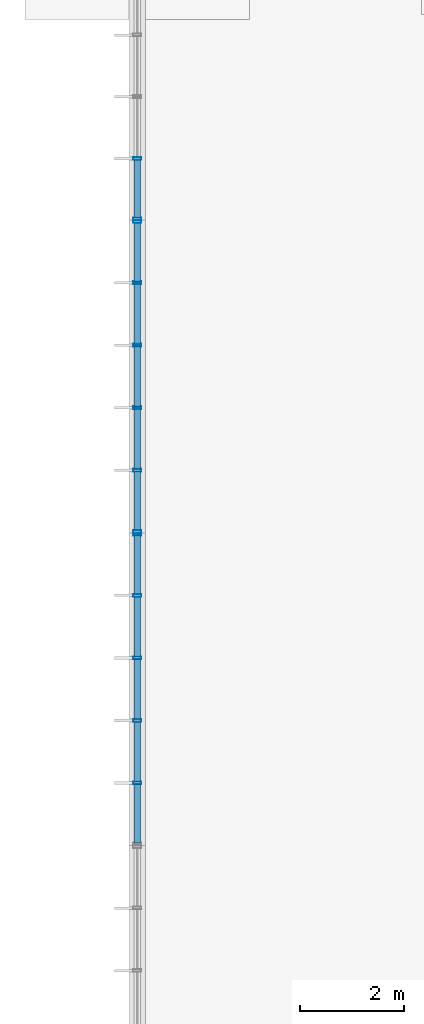
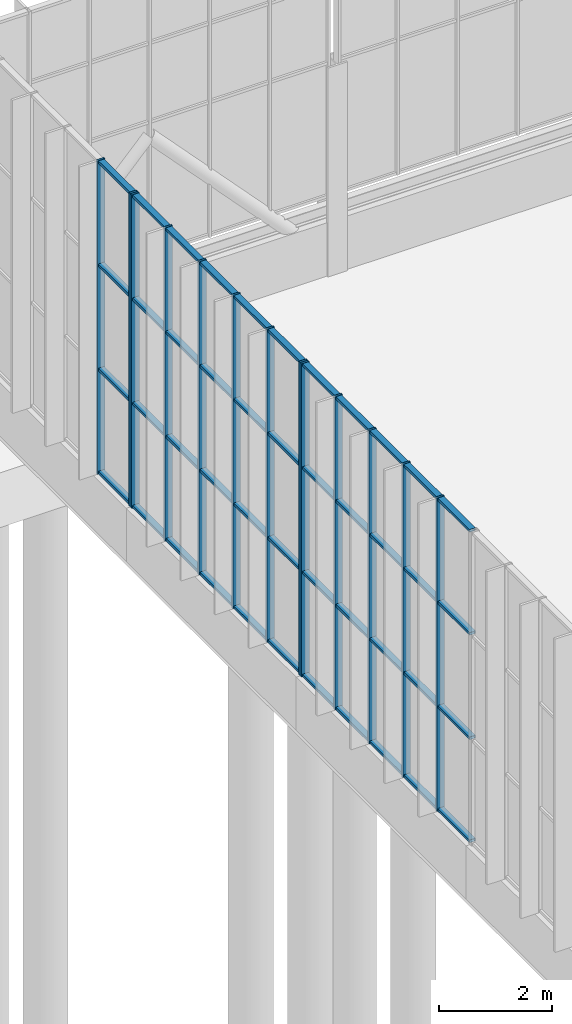
# One storey, part 52 of 136: 57 members, 3 elements without a shape of their own.
"""IFC4 building model written with IfcOpenShell, lengths in metres."""

from ifc_helpers import new_model, si_unit, direction, frame, origin, origin_2d, place, context, subcontext, project, spatial, hollow_rectangle, extrude, material, layer, layer_set, material_profile, profile_set, type_object, element, aggregate, save


model = new_model("IFC4")

# Units and contexts
model_context = context("Model", 3, precision=1e-05, world=origin(), true_north=direction((0.0, 1.0)))
body_context = subcontext(model_context, "Body", "Model", "MODEL_VIEW")
ifc_project = project(units=[si_unit("LENGTHUNIT", "METRE"), si_unit("AREAUNIT", "SQUARE_METRE"), si_unit("VOLUMEUNIT", "CUBIC_METRE"), si_unit("PLANEANGLEUNIT", "RADIAN"), si_unit("MASSUNIT", "GRAM", prefix="KILO")], contexts=[model_context])

# Site, building, storey
site_placement = place(None, origin())
site = spatial("IfcSite", under=ifc_project, at=site_placement, CompositionType="ELEMENT")
building_placement = place(site_placement, origin())
building = spatial("IfcBuilding", under=site, at=building_placement, Name="Solvenia Promenade Tram Depot", CompositionType="ELEMENT")
storey_placement = place(building_placement, origin())
storey = spatial("IfcBuildingStorey", under=building, at=storey_placement, Name="L00", CompositionType="ELEMENT", Elevation=0.0)

# Curtain wall, members
ifc_material = material(Name="Anodized aluminium AW-6063 T6", Category="aluminium")
ifc_layer = layer(ifc_material, 0.159912109375, Name="Anodized aluminium AW-6063 T6", Category="aluminium")
ifc_layer_set = layer_set([ifc_layer], Name="Anodized aluminium AW-6063 T6")
curtain_wall_type = type_object("IfcCurtainWallType", Name="CW-Channel-1200", PredefinedType="NOTDEFINED", material=ifc_layer_set)
curtain_wall_1_placement = place(storey_placement, origin())
curtain_wall_1 = element("IfcCurtainWall", 1, at=curtain_wall_1_placement, inside=storey, type_object=curtain_wall_type, Name="Curtain Wall CW-V1W-08", PredefinedType="NOTDEFINED")
ifc_material_profile_1 = material_profile(ifc_material, hollow_rectangle(XDim=0.159912109375, YDim=0.052001953125, WallThickness=0.00390625, at=origin_2d()), Name="ALU-M1", Category="aluminium")
ifc_profile_set_1 = profile_set([ifc_material_profile_1], Name="Anodized aluminium AW-6063 T6")
member_type_1 = type_object("IfcMemberType", Name="CWM-Mullion-1", PredefinedType="MULLION", material=ifc_profile_set_1)
member_1_placement = place(storey_placement, frame((0.0, 109.199951171875, 1.14990234375), z_axis=(0.0, 0.0, 1.0), x_axis=(-1.0, 0.0, 0.0)))
member_1 = element("IfcMember", 2, at=member_1_placement, type_object=member_type_1, Name="CW-1 mullion 2", PredefinedType="MULLION", context=body_context, shape_type="SweptSolid", body=[
    extrude(hollow_rectangle(XDim=0.159912109375, YDim=0.052001953125, WallThickness=0.00390625, at=origin_2d()), origin(), (0.0, 0.0, 1.0), 6.75),
])
member_2_placement = place(storey_placement, frame((0.0, 110.39990234375, 1.14990234375), z_axis=(0.0, 0.0, 1.0), x_axis=(-1.0, 0.0, 0.0)))
member_2 = element("IfcMember", 3, at=member_2_placement, type_object=member_type_1, Name="CW-1 mullion 3", PredefinedType="MULLION", context=body_context, shape_type="SweptSolid", body=[
    extrude(hollow_rectangle(XDim=0.159912109375, YDim=0.052001953125, WallThickness=0.00390625, at=origin_2d()), origin(), (0.0, 0.0, 1.0), 6.75),
])
member_3_placement = place(storey_placement, frame((0.0, 111.60009765625, 1.14990234375), z_axis=(0.0, 0.0, 1.0), x_axis=(-1.0, 0.0, 0.0)))
member_3 = element("IfcMember", 4, at=member_3_placement, type_object=member_type_1, Name="CW-1 mullion 4", PredefinedType="MULLION", context=body_context, shape_type="SweptSolid", body=[
    extrude(hollow_rectangle(XDim=0.159912109375, YDim=0.052001953125, WallThickness=0.00390625, at=origin_2d()), origin(), (0.0, 0.0, 1.0), 6.75),
])
member_4_placement = place(storey_placement, frame((0.0, 112.800048828125, 1.14990234375), z_axis=(0.0, 0.0, 1.0), x_axis=(-1.0, 0.0, 0.0)))
member_4 = element("IfcMember", 5, at=member_4_placement, type_object=member_type_1, Name="CW-1 mullion 5", PredefinedType="MULLION", context=body_context, shape_type="SweptSolid", body=[
    extrude(hollow_rectangle(XDim=0.159912109375, YDim=0.052001953125, WallThickness=0.00390625, at=origin_2d()), origin(), (0.0, 0.0, 1.0), 6.75),
])
member_5_placement = place(storey_placement, frame((0.0, 113.97412109375, 1.14990234375), z_axis=(0.0, 0.0, 1.0), x_axis=(-1.0, 0.0, 0.0)))
member_5 = element("IfcMember", 6, at=member_5_placement, type_object=member_type_1, Name="CW-1 mullion 6", PredefinedType="MULLION", context=body_context, shape_type="SweptSolid", body=[
    extrude(hollow_rectangle(XDim=0.159912109375, YDim=0.052001953125, WallThickness=0.00390625, at=origin_2d()), origin(), (0.0, 0.0, 1.0), 6.75),
])

curtain_wall_2_placement = place(storey_placement, origin())
curtain_wall_2 = element("IfcCurtainWall", 7, at=curtain_wall_2_placement, inside=storey, type_object=curtain_wall_type, Name="Curtain Wall CW-V1W-09", PredefinedType="NOTDEFINED")
member_6_placement = place(storey_placement, frame((0.0, 114.02587890625, 1.14990234375), z_axis=(0.0, 0.0, 1.0), x_axis=(-1.0, 0.0, 0.0)))
member_6 = element("IfcMember", 8, at=member_6_placement, type_object=member_type_1, Name="CW-1 mullion 1", PredefinedType="MULLION", context=body_context, shape_type="SweptSolid", body=[
    extrude(hollow_rectangle(XDim=0.159912109375, YDim=0.052001953125, WallThickness=0.00390625, at=origin_2d()), origin(), (0.0, 0.0, 1.0), 6.75),
])
member_7_placement = place(storey_placement, frame((0.0, 115.199951171875, 1.14990234375), z_axis=(0.0, 0.0, 1.0), x_axis=(-1.0, 0.0, 0.0)))
member_7 = element("IfcMember", 9, at=member_7_placement, type_object=member_type_1, Name="CW-1 mullion 2", PredefinedType="MULLION", context=body_context, shape_type="SweptSolid", body=[
    extrude(hollow_rectangle(XDim=0.159912109375, YDim=0.052001953125, WallThickness=0.00390625, at=origin_2d()), origin(), (0.0, 0.0, 1.0), 6.75),
])
member_8_placement = place(storey_placement, frame((0.0, 116.39990234375, 1.14990234375), z_axis=(0.0, 0.0, 1.0), x_axis=(-1.0, 0.0, 0.0)))
member_8 = element("IfcMember", 10, at=member_8_placement, type_object=member_type_1, Name="CW-1 mullion 3", PredefinedType="MULLION", context=body_context, shape_type="SweptSolid", body=[
    extrude(hollow_rectangle(XDim=0.159912109375, YDim=0.052001953125, WallThickness=0.00390625, at=origin_2d()), origin(), (0.0, 0.0, 1.0), 6.75),
])
member_9_placement = place(storey_placement, frame((0.0, 117.60009765625, 1.14990234375), z_axis=(0.0, 0.0, 1.0), x_axis=(-1.0, 0.0, 0.0)))
member_9 = element("IfcMember", 11, at=member_9_placement, type_object=member_type_1, Name="CW-1 mullion 4", PredefinedType="MULLION", context=body_context, shape_type="SweptSolid", body=[
    extrude(hollow_rectangle(XDim=0.159912109375, YDim=0.052001953125, WallThickness=0.00390625, at=origin_2d()), origin(), (0.0, 0.0, 1.0), 6.75),
])
member_10_placement = place(storey_placement, frame((0.0, 118.800048828125, 1.14990234375), z_axis=(0.0, 0.0, 1.0), x_axis=(-1.0, 0.0, 0.0)))
member_10 = element("IfcMember", 12, at=member_10_placement, type_object=member_type_1, Name="CW-1 mullion 5", PredefinedType="MULLION", context=body_context, shape_type="SweptSolid", body=[
    extrude(hollow_rectangle(XDim=0.159912109375, YDim=0.052001953125, WallThickness=0.00390625, at=origin_2d()), origin(), (0.0, 0.0, 1.0), 6.75),
])
member_11_placement = place(storey_placement, frame((0.0, 119.97412109375, 1.14990234375), z_axis=(0.0, 0.0, 1.0), x_axis=(-1.0, 0.0, 0.0)))
member_11 = element("IfcMember", 13, at=member_11_placement, type_object=member_type_1, Name="CW-1 mullion 6", PredefinedType="MULLION", context=body_context, shape_type="SweptSolid", body=[
    extrude(hollow_rectangle(XDim=0.159912109375, YDim=0.052001953125, WallThickness=0.00390625, at=origin_2d()), origin(), (0.0, 0.0, 1.0), 6.75),
])

curtain_wall_3_placement = place(storey_placement, origin())
curtain_wall_3 = element("IfcCurtainWall", 14, at=curtain_wall_3_placement, inside=storey, type_object=curtain_wall_type, Name="Curtain Wall CW-V1W-10", PredefinedType="NOTDEFINED")
member_12_placement = place(storey_placement, frame((0.0, 120.02587890625, 1.14990234375), z_axis=(0.0, 0.0, 1.0), x_axis=(-1.0, 0.0, 0.0)))
member_12 = element("IfcMember", 15, at=member_12_placement, type_object=member_type_1, Name="CW-1 mullion 1", PredefinedType="MULLION", context=body_context, shape_type="SweptSolid", body=[
    extrude(hollow_rectangle(XDim=0.159912109375, YDim=0.052001953125, WallThickness=0.00390625, at=origin_2d()), origin(), (0.0, 0.0, 1.0), 6.75),
])
member_13_placement = place(storey_placement, frame((0.0, 121.18408203125, 1.14990234375), z_axis=(0.0, 0.0, 1.0), x_axis=(-1.0, 0.0, 0.0)))
member_13 = element("IfcMember", 16, at=member_13_placement, type_object=member_type_1, Name="CW-1 mullion 2", PredefinedType="MULLION", context=body_context, shape_type="SweptSolid", body=[
    extrude(hollow_rectangle(XDim=0.159912109375, YDim=0.052001953125, WallThickness=0.00390625, at=origin_2d()), origin(), (0.0, 0.0, 1.0), 6.75),
])

# Member
ifc_material_profile_2 = material_profile(ifc_material, hollow_rectangle(XDim=0.1201171875, YDim=0.06005859375, WallThickness=0.00390625, at=origin_2d()), Name="ALU-T1", Category="aluminium")
ifc_profile_set_2 = profile_set([ifc_material_profile_2], Name="Anodized aluminium AW-6063 T6")
member_type_2 = type_object("IfcMemberType", Name="CWT-Transom-1", PredefinedType="USERDEFINED", material=ifc_profile_set_2)
member_14_placement = place(storey_placement, frame((0.0, 108.052001953125, 1.179931640625), z_axis=(0.0, 1.0, 0.0), x_axis=(-1.0, 0.0, 0.0)))
member_14 = element("IfcMember", 17, at=member_14_placement, type_object=member_type_2, Name="CW-1 transom 1.1", ObjectType="TRANSOM", PredefinedType="USERDEFINED", context=body_context, shape_type="SweptSolid", body=[
    extrude(hollow_rectangle(XDim=0.1201171875, YDim=0.06005859375, WallThickness=0.00390625, at=origin_2d()), origin(), (0.0, 0.0, 1.0), 1.1220703125),
])

member_15_placement = place(storey_placement, frame((0.0, 108.052001953125, 3.39990234375), z_axis=(0.0, 1.0, 0.0), x_axis=(-1.0, 0.0, 0.0)))
member_15 = element("IfcMember", 18, at=member_15_placement, type_object=member_type_2, Name="CW-1 transom 1.2", ObjectType="TRANSOM", PredefinedType="USERDEFINED", context=body_context, shape_type="SweptSolid", body=[
    extrude(hollow_rectangle(XDim=0.1201171875, YDim=0.06005859375, WallThickness=0.00390625, at=origin_2d()), origin(), (0.0, 0.0, 1.0), 1.1220703125),
])

member_16_placement = place(storey_placement, frame((0.0, 108.052001953125, 5.64990234375), z_axis=(0.0, 1.0, 0.0), x_axis=(-1.0, 0.0, 0.0)))
member_16 = element("IfcMember", 19, at=member_16_placement, type_object=member_type_2, Name="CW-1 transom 1.3", ObjectType="TRANSOM", PredefinedType="USERDEFINED", context=body_context, shape_type="SweptSolid", body=[
    extrude(hollow_rectangle(XDim=0.1201171875, YDim=0.06005859375, WallThickness=0.00390625, at=origin_2d()), origin(), (0.0, 0.0, 1.0), 1.1220703125),
])

member_17_placement = place(storey_placement, frame((0.0, 108.052001953125, 7.8701171875), z_axis=(0.0, 1.0, 0.0), x_axis=(-1.0, 0.0, 0.0)))
member_17 = element("IfcMember", 20, at=member_17_placement, type_object=member_type_2, Name="CW-1 transom 1.4", ObjectType="TRANSOM", PredefinedType="USERDEFINED", context=body_context, shape_type="SweptSolid", body=[
    extrude(hollow_rectangle(XDim=0.1201171875, YDim=0.06005859375, WallThickness=0.00390625, at=origin_2d()), origin(), (0.0, 0.0, 1.0), 1.1220703125),
])

member_18_placement = place(storey_placement, frame((0.0, 109.22607421875, 1.179931640625), z_axis=(0.0, 1.0, 0.0), x_axis=(-1.0, 0.0, 0.0)))
member_18 = element("IfcMember", 21, at=member_18_placement, type_object=member_type_2, Name="CW-1 transom 2.1", ObjectType="TRANSOM", PredefinedType="USERDEFINED", context=body_context, shape_type="SweptSolid", body=[
    extrude(hollow_rectangle(XDim=0.1201171875, YDim=0.06005859375, WallThickness=0.00390625, at=origin_2d()), origin(), (0.0, 0.0, 1.0), 1.14794921875),
])

member_19_placement = place(storey_placement, frame((0.0, 109.22607421875, 3.39990234375), z_axis=(0.0, 1.0, 0.0), x_axis=(-1.0, 0.0, 0.0)))
member_19 = element("IfcMember", 22, at=member_19_placement, type_object=member_type_2, Name="CW-1 transom 2.2", ObjectType="TRANSOM", PredefinedType="USERDEFINED", context=body_context, shape_type="SweptSolid", body=[
    extrude(hollow_rectangle(XDim=0.1201171875, YDim=0.06005859375, WallThickness=0.00390625, at=origin_2d()), origin(), (0.0, 0.0, 1.0), 1.14794921875),
])

member_20_placement = place(storey_placement, frame((0.0, 109.22607421875, 5.64990234375), z_axis=(0.0, 1.0, 0.0), x_axis=(-1.0, 0.0, 0.0)))
member_20 = element("IfcMember", 23, at=member_20_placement, type_object=member_type_2, Name="CW-1 transom 2.3", ObjectType="TRANSOM", PredefinedType="USERDEFINED", context=body_context, shape_type="SweptSolid", body=[
    extrude(hollow_rectangle(XDim=0.1201171875, YDim=0.06005859375, WallThickness=0.00390625, at=origin_2d()), origin(), (0.0, 0.0, 1.0), 1.14794921875),
])

member_21_placement = place(storey_placement, frame((0.0, 109.22607421875, 7.8701171875), z_axis=(0.0, 1.0, 0.0), x_axis=(-1.0, 0.0, 0.0)))
member_21 = element("IfcMember", 24, at=member_21_placement, type_object=member_type_2, Name="CW-1 transom 2.4", ObjectType="TRANSOM", PredefinedType="USERDEFINED", context=body_context, shape_type="SweptSolid", body=[
    extrude(hollow_rectangle(XDim=0.1201171875, YDim=0.06005859375, WallThickness=0.00390625, at=origin_2d()), origin(), (0.0, 0.0, 1.0), 1.14794921875),
])

member_22_placement = place(storey_placement, frame((0.0, 110.426025390625, 1.179931640625), z_axis=(0.0, 1.0, 0.0), x_axis=(-1.0, 0.0, 0.0)))
member_22 = element("IfcMember", 25, at=member_22_placement, type_object=member_type_2, Name="CW-1 transom 3.1", ObjectType="TRANSOM", PredefinedType="USERDEFINED", context=body_context, shape_type="SweptSolid", body=[
    extrude(hollow_rectangle(XDim=0.1201171875, YDim=0.06005859375, WallThickness=0.00390625, at=origin_2d()), origin(), (0.0, 0.0, 1.0), 1.14794921875),
])

member_23_placement = place(storey_placement, frame((0.0, 110.426025390625, 3.39990234375), z_axis=(0.0, 1.0, 0.0), x_axis=(-1.0, 0.0, 0.0)))
member_23 = element("IfcMember", 26, at=member_23_placement, type_object=member_type_2, Name="CW-1 transom 3.2", ObjectType="TRANSOM", PredefinedType="USERDEFINED", context=body_context, shape_type="SweptSolid", body=[
    extrude(hollow_rectangle(XDim=0.1201171875, YDim=0.06005859375, WallThickness=0.00390625, at=origin_2d()), origin(), (0.0, 0.0, 1.0), 1.14794921875),
])

member_24_placement = place(storey_placement, frame((0.0, 110.426025390625, 5.64990234375), z_axis=(0.0, 1.0, 0.0), x_axis=(-1.0, 0.0, 0.0)))
member_24 = element("IfcMember", 27, at=member_24_placement, type_object=member_type_2, Name="CW-1 transom 3.3", ObjectType="TRANSOM", PredefinedType="USERDEFINED", context=body_context, shape_type="SweptSolid", body=[
    extrude(hollow_rectangle(XDim=0.1201171875, YDim=0.06005859375, WallThickness=0.00390625, at=origin_2d()), origin(), (0.0, 0.0, 1.0), 1.14794921875),
])

member_25_placement = place(storey_placement, frame((0.0, 110.426025390625, 7.8701171875), z_axis=(0.0, 1.0, 0.0), x_axis=(-1.0, 0.0, 0.0)))
member_25 = element("IfcMember", 28, at=member_25_placement, type_object=member_type_2, Name="CW-1 transom 3.4", ObjectType="TRANSOM", PredefinedType="USERDEFINED", context=body_context, shape_type="SweptSolid", body=[
    extrude(hollow_rectangle(XDim=0.1201171875, YDim=0.06005859375, WallThickness=0.00390625, at=origin_2d()), origin(), (0.0, 0.0, 1.0), 1.14794921875),
])

member_26_placement = place(storey_placement, frame((0.0, 111.6259765625, 1.179931640625), z_axis=(0.0, 1.0, 0.0), x_axis=(-1.0, 0.0, 0.0)))
member_26 = element("IfcMember", 29, at=member_26_placement, type_object=member_type_2, Name="CW-1 transom 4.1", ObjectType="TRANSOM", PredefinedType="USERDEFINED", context=body_context, shape_type="SweptSolid", body=[
    extrude(hollow_rectangle(XDim=0.1201171875, YDim=0.06005859375, WallThickness=0.00390625, at=origin_2d()), origin(), (0.0, 0.0, 1.0), 1.14794921875),
])

member_27_placement = place(storey_placement, frame((0.0, 111.6259765625, 3.39990234375), z_axis=(0.0, 1.0, 0.0), x_axis=(-1.0, 0.0, 0.0)))
member_27 = element("IfcMember", 30, at=member_27_placement, type_object=member_type_2, Name="CW-1 transom 4.2", ObjectType="TRANSOM", PredefinedType="USERDEFINED", context=body_context, shape_type="SweptSolid", body=[
    extrude(hollow_rectangle(XDim=0.1201171875, YDim=0.06005859375, WallThickness=0.00390625, at=origin_2d()), origin(), (0.0, 0.0, 1.0), 1.14794921875),
])

member_28_placement = place(storey_placement, frame((0.0, 111.6259765625, 5.64990234375), z_axis=(0.0, 1.0, 0.0), x_axis=(-1.0, 0.0, 0.0)))
member_28 = element("IfcMember", 31, at=member_28_placement, type_object=member_type_2, Name="CW-1 transom 4.3", ObjectType="TRANSOM", PredefinedType="USERDEFINED", context=body_context, shape_type="SweptSolid", body=[
    extrude(hollow_rectangle(XDim=0.1201171875, YDim=0.06005859375, WallThickness=0.00390625, at=origin_2d()), origin(), (0.0, 0.0, 1.0), 1.14794921875),
])

member_29_placement = place(storey_placement, frame((0.0, 111.6259765625, 7.8701171875), z_axis=(0.0, 1.0, 0.0), x_axis=(-1.0, 0.0, 0.0)))
member_29 = element("IfcMember", 32, at=member_29_placement, type_object=member_type_2, Name="CW-1 transom 4.4", ObjectType="TRANSOM", PredefinedType="USERDEFINED", context=body_context, shape_type="SweptSolid", body=[
    extrude(hollow_rectangle(XDim=0.1201171875, YDim=0.06005859375, WallThickness=0.00390625, at=origin_2d()), origin(), (0.0, 0.0, 1.0), 1.14794921875),
])

member_30_placement = place(storey_placement, frame((0.0, 112.825927734375, 1.179931640625), z_axis=(0.0, 1.0, 0.0), x_axis=(-1.0, 0.0, 0.0)))
member_30 = element("IfcMember", 33, at=member_30_placement, type_object=member_type_2, Name="CW-1 transom 5.1", ObjectType="TRANSOM", PredefinedType="USERDEFINED", context=body_context, shape_type="SweptSolid", body=[
    extrude(hollow_rectangle(XDim=0.1201171875, YDim=0.06005859375, WallThickness=0.00390625, at=origin_2d()), origin(), (0.0, 0.0, 1.0), 1.1220703125),
])

member_31_placement = place(storey_placement, frame((0.0, 112.825927734375, 3.39990234375), z_axis=(0.0, 1.0, 0.0), x_axis=(-1.0, 0.0, 0.0)))
member_31 = element("IfcMember", 34, at=member_31_placement, type_object=member_type_2, Name="CW-1 transom 5.2", ObjectType="TRANSOM", PredefinedType="USERDEFINED", context=body_context, shape_type="SweptSolid", body=[
    extrude(hollow_rectangle(XDim=0.1201171875, YDim=0.06005859375, WallThickness=0.00390625, at=origin_2d()), origin(), (0.0, 0.0, 1.0), 1.1220703125),
])

member_32_placement = place(storey_placement, frame((0.0, 112.825927734375, 5.64990234375), z_axis=(0.0, 1.0, 0.0), x_axis=(-1.0, 0.0, 0.0)))
member_32 = element("IfcMember", 35, at=member_32_placement, type_object=member_type_2, Name="CW-1 transom 5.3", ObjectType="TRANSOM", PredefinedType="USERDEFINED", context=body_context, shape_type="SweptSolid", body=[
    extrude(hollow_rectangle(XDim=0.1201171875, YDim=0.06005859375, WallThickness=0.00390625, at=origin_2d()), origin(), (0.0, 0.0, 1.0), 1.1220703125),
])

member_33_placement = place(storey_placement, frame((0.0, 112.825927734375, 7.8701171875), z_axis=(0.0, 1.0, 0.0), x_axis=(-1.0, 0.0, 0.0)))
member_33 = element("IfcMember", 36, at=member_33_placement, type_object=member_type_2, Name="CW-1 transom 5.4", ObjectType="TRANSOM", PredefinedType="USERDEFINED", context=body_context, shape_type="SweptSolid", body=[
    extrude(hollow_rectangle(XDim=0.1201171875, YDim=0.06005859375, WallThickness=0.00390625, at=origin_2d()), origin(), (0.0, 0.0, 1.0), 1.1220703125),
])

aggregate(curtain_wall_1, [member_1, member_2, member_3, member_4, member_5, member_14, member_15, member_16, member_17, member_18, member_19, member_20, member_21, member_22, member_23, member_24, member_25, member_26, member_27, member_28, member_29, member_30, member_31, member_32, member_33])

member_34_placement = place(storey_placement, frame((0.0, 114.052001953125, 1.179931640625), z_axis=(0.0, 1.0, 0.0), x_axis=(-1.0, 0.0, 0.0)))
member_34 = element("IfcMember", 37, at=member_34_placement, type_object=member_type_2, Name="CW-1 transom 1.1", ObjectType="TRANSOM", PredefinedType="USERDEFINED", context=body_context, shape_type="SweptSolid", body=[
    extrude(hollow_rectangle(XDim=0.1201171875, YDim=0.06005859375, WallThickness=0.00390625, at=origin_2d()), origin(), (0.0, 0.0, 1.0), 1.1220703125),
])

member_35_placement = place(storey_placement, frame((0.0, 114.052001953125, 3.39990234375), z_axis=(0.0, 1.0, 0.0), x_axis=(-1.0, 0.0, 0.0)))
member_35 = element("IfcMember", 38, at=member_35_placement, type_object=member_type_2, Name="CW-1 transom 1.2", ObjectType="TRANSOM", PredefinedType="USERDEFINED", context=body_context, shape_type="SweptSolid", body=[
    extrude(hollow_rectangle(XDim=0.1201171875, YDim=0.06005859375, WallThickness=0.00390625, at=origin_2d()), origin(), (0.0, 0.0, 1.0), 1.1220703125),
])

member_36_placement = place(storey_placement, frame((0.0, 114.052001953125, 5.64990234375), z_axis=(0.0, 1.0, 0.0), x_axis=(-1.0, 0.0, 0.0)))
member_36 = element("IfcMember", 39, at=member_36_placement, type_object=member_type_2, Name="CW-1 transom 1.3", ObjectType="TRANSOM", PredefinedType="USERDEFINED", context=body_context, shape_type="SweptSolid", body=[
    extrude(hollow_rectangle(XDim=0.1201171875, YDim=0.06005859375, WallThickness=0.00390625, at=origin_2d()), origin(), (0.0, 0.0, 1.0), 1.1220703125),
])

member_37_placement = place(storey_placement, frame((0.0, 114.052001953125, 7.8701171875), z_axis=(0.0, 1.0, 0.0), x_axis=(-1.0, 0.0, 0.0)))
member_37 = element("IfcMember", 40, at=member_37_placement, type_object=member_type_2, Name="CW-1 transom 1.4", ObjectType="TRANSOM", PredefinedType="USERDEFINED", context=body_context, shape_type="SweptSolid", body=[
    extrude(hollow_rectangle(XDim=0.1201171875, YDim=0.06005859375, WallThickness=0.00390625, at=origin_2d()), origin(), (0.0, 0.0, 1.0), 1.1220703125),
])

member_38_placement = place(storey_placement, frame((0.0, 115.22607421875, 1.179931640625), z_axis=(0.0, 1.0, 0.0), x_axis=(-1.0, 0.0, 0.0)))
member_38 = element("IfcMember", 41, at=member_38_placement, type_object=member_type_2, Name="CW-1 transom 2.1", ObjectType="TRANSOM", PredefinedType="USERDEFINED", context=body_context, shape_type="SweptSolid", body=[
    extrude(hollow_rectangle(XDim=0.1201171875, YDim=0.06005859375, WallThickness=0.00390625, at=origin_2d()), origin(), (0.0, 0.0, 1.0), 1.14794921875),
])

member_39_placement = place(storey_placement, frame((0.0, 115.22607421875, 3.39990234375), z_axis=(0.0, 1.0, 0.0), x_axis=(-1.0, 0.0, 0.0)))
member_39 = element("IfcMember", 42, at=member_39_placement, type_object=member_type_2, Name="CW-1 transom 2.2", ObjectType="TRANSOM", PredefinedType="USERDEFINED", context=body_context, shape_type="SweptSolid", body=[
    extrude(hollow_rectangle(XDim=0.1201171875, YDim=0.06005859375, WallThickness=0.00390625, at=origin_2d()), origin(), (0.0, 0.0, 1.0), 1.14794921875),
])

member_40_placement = place(storey_placement, frame((0.0, 115.22607421875, 5.64990234375), z_axis=(0.0, 1.0, 0.0), x_axis=(-1.0, 0.0, 0.0)))
member_40 = element("IfcMember", 43, at=member_40_placement, type_object=member_type_2, Name="CW-1 transom 2.3", ObjectType="TRANSOM", PredefinedType="USERDEFINED", context=body_context, shape_type="SweptSolid", body=[
    extrude(hollow_rectangle(XDim=0.1201171875, YDim=0.06005859375, WallThickness=0.00390625, at=origin_2d()), origin(), (0.0, 0.0, 1.0), 1.14794921875),
])

member_41_placement = place(storey_placement, frame((0.0, 115.22607421875, 7.8701171875), z_axis=(0.0, 1.0, 0.0), x_axis=(-1.0, 0.0, 0.0)))
member_41 = element("IfcMember", 44, at=member_41_placement, type_object=member_type_2, Name="CW-1 transom 2.4", ObjectType="TRANSOM", PredefinedType="USERDEFINED", context=body_context, shape_type="SweptSolid", body=[
    extrude(hollow_rectangle(XDim=0.1201171875, YDim=0.06005859375, WallThickness=0.00390625, at=origin_2d()), origin(), (0.0, 0.0, 1.0), 1.14794921875),
])

member_42_placement = place(storey_placement, frame((0.0, 116.426025390625, 1.179931640625), z_axis=(0.0, 1.0, 0.0), x_axis=(-1.0, 0.0, 0.0)))
member_42 = element("IfcMember", 45, at=member_42_placement, type_object=member_type_2, Name="CW-1 transom 3.1", ObjectType="TRANSOM", PredefinedType="USERDEFINED", context=body_context, shape_type="SweptSolid", body=[
    extrude(hollow_rectangle(XDim=0.1201171875, YDim=0.06005859375, WallThickness=0.00390625, at=origin_2d()), origin(), (0.0, 0.0, 1.0), 1.14794921875),
])

member_43_placement = place(storey_placement, frame((0.0, 116.426025390625, 3.39990234375), z_axis=(0.0, 1.0, 0.0), x_axis=(-1.0, 0.0, 0.0)))
member_43 = element("IfcMember", 46, at=member_43_placement, type_object=member_type_2, Name="CW-1 transom 3.2", ObjectType="TRANSOM", PredefinedType="USERDEFINED", context=body_context, shape_type="SweptSolid", body=[
    extrude(hollow_rectangle(XDim=0.1201171875, YDim=0.06005859375, WallThickness=0.00390625, at=origin_2d()), origin(), (0.0, 0.0, 1.0), 1.14794921875),
])

member_44_placement = place(storey_placement, frame((0.0, 116.426025390625, 5.64990234375), z_axis=(0.0, 1.0, 0.0), x_axis=(-1.0, 0.0, 0.0)))
member_44 = element("IfcMember", 47, at=member_44_placement, type_object=member_type_2, Name="CW-1 transom 3.3", ObjectType="TRANSOM", PredefinedType="USERDEFINED", context=body_context, shape_type="SweptSolid", body=[
    extrude(hollow_rectangle(XDim=0.1201171875, YDim=0.06005859375, WallThickness=0.00390625, at=origin_2d()), origin(), (0.0, 0.0, 1.0), 1.14794921875),
])

member_45_placement = place(storey_placement, frame((0.0, 116.426025390625, 7.8701171875), z_axis=(0.0, 1.0, 0.0), x_axis=(-1.0, 0.0, 0.0)))
member_45 = element("IfcMember", 48, at=member_45_placement, type_object=member_type_2, Name="CW-1 transom 3.4", ObjectType="TRANSOM", PredefinedType="USERDEFINED", context=body_context, shape_type="SweptSolid", body=[
    extrude(hollow_rectangle(XDim=0.1201171875, YDim=0.06005859375, WallThickness=0.00390625, at=origin_2d()), origin(), (0.0, 0.0, 1.0), 1.14794921875),
])

member_46_placement = place(storey_placement, frame((0.0, 117.6259765625, 1.179931640625), z_axis=(0.0, 1.0, 0.0), x_axis=(-1.0, 0.0, 0.0)))
member_46 = element("IfcMember", 49, at=member_46_placement, type_object=member_type_2, Name="CW-1 transom 4.1", ObjectType="TRANSOM", PredefinedType="USERDEFINED", context=body_context, shape_type="SweptSolid", body=[
    extrude(hollow_rectangle(XDim=0.1201171875, YDim=0.06005859375, WallThickness=0.00390625, at=origin_2d()), origin(), (0.0, 0.0, 1.0), 1.14794921875),
])

member_47_placement = place(storey_placement, frame((0.0, 117.6259765625, 3.39990234375), z_axis=(0.0, 1.0, 0.0), x_axis=(-1.0, 0.0, 0.0)))
member_47 = element("IfcMember", 50, at=member_47_placement, type_object=member_type_2, Name="CW-1 transom 4.2", ObjectType="TRANSOM", PredefinedType="USERDEFINED", context=body_context, shape_type="SweptSolid", body=[
    extrude(hollow_rectangle(XDim=0.1201171875, YDim=0.06005859375, WallThickness=0.00390625, at=origin_2d()), origin(), (0.0, 0.0, 1.0), 1.14794921875),
])

member_48_placement = place(storey_placement, frame((0.0, 117.6259765625, 5.64990234375), z_axis=(0.0, 1.0, 0.0), x_axis=(-1.0, 0.0, 0.0)))
member_48 = element("IfcMember", 51, at=member_48_placement, type_object=member_type_2, Name="CW-1 transom 4.3", ObjectType="TRANSOM", PredefinedType="USERDEFINED", context=body_context, shape_type="SweptSolid", body=[
    extrude(hollow_rectangle(XDim=0.1201171875, YDim=0.06005859375, WallThickness=0.00390625, at=origin_2d()), origin(), (0.0, 0.0, 1.0), 1.14794921875),
])

member_49_placement = place(storey_placement, frame((0.0, 117.6259765625, 7.8701171875), z_axis=(0.0, 1.0, 0.0), x_axis=(-1.0, 0.0, 0.0)))
member_49 = element("IfcMember", 52, at=member_49_placement, type_object=member_type_2, Name="CW-1 transom 4.4", ObjectType="TRANSOM", PredefinedType="USERDEFINED", context=body_context, shape_type="SweptSolid", body=[
    extrude(hollow_rectangle(XDim=0.1201171875, YDim=0.06005859375, WallThickness=0.00390625, at=origin_2d()), origin(), (0.0, 0.0, 1.0), 1.14794921875),
])

member_50_placement = place(storey_placement, frame((0.0, 118.825927734375, 1.179931640625), z_axis=(0.0, 1.0, 0.0), x_axis=(-1.0, 0.0, 0.0)))
member_50 = element("IfcMember", 53, at=member_50_placement, type_object=member_type_2, Name="CW-1 transom 5.1", ObjectType="TRANSOM", PredefinedType="USERDEFINED", context=body_context, shape_type="SweptSolid", body=[
    extrude(hollow_rectangle(XDim=0.1201171875, YDim=0.06005859375, WallThickness=0.00390625, at=origin_2d()), origin(), (0.0, 0.0, 1.0), 1.1220703125),
])

member_51_placement = place(storey_placement, frame((0.0, 118.825927734375, 3.39990234375), z_axis=(0.0, 1.0, 0.0), x_axis=(-1.0, 0.0, 0.0)))
member_51 = element("IfcMember", 54, at=member_51_placement, type_object=member_type_2, Name="CW-1 transom 5.2", ObjectType="TRANSOM", PredefinedType="USERDEFINED", context=body_context, shape_type="SweptSolid", body=[
    extrude(hollow_rectangle(XDim=0.1201171875, YDim=0.06005859375, WallThickness=0.00390625, at=origin_2d()), origin(), (0.0, 0.0, 1.0), 1.1220703125),
])

member_52_placement = place(storey_placement, frame((0.0, 118.825927734375, 5.64990234375), z_axis=(0.0, 1.0, 0.0), x_axis=(-1.0, 0.0, 0.0)))
member_52 = element("IfcMember", 55, at=member_52_placement, type_object=member_type_2, Name="CW-1 transom 5.3", ObjectType="TRANSOM", PredefinedType="USERDEFINED", context=body_context, shape_type="SweptSolid", body=[
    extrude(hollow_rectangle(XDim=0.1201171875, YDim=0.06005859375, WallThickness=0.00390625, at=origin_2d()), origin(), (0.0, 0.0, 1.0), 1.1220703125),
])

member_53_placement = place(storey_placement, frame((0.0, 118.825927734375, 7.8701171875), z_axis=(0.0, 1.0, 0.0), x_axis=(-1.0, 0.0, 0.0)))
member_53 = element("IfcMember", 56, at=member_53_placement, type_object=member_type_2, Name="CW-1 transom 5.4", ObjectType="TRANSOM", PredefinedType="USERDEFINED", context=body_context, shape_type="SweptSolid", body=[
    extrude(hollow_rectangle(XDim=0.1201171875, YDim=0.06005859375, WallThickness=0.00390625, at=origin_2d()), origin(), (0.0, 0.0, 1.0), 1.1220703125),
])

aggregate(curtain_wall_2, [member_6, member_7, member_8, member_9, member_10, member_11, member_34, member_35, member_36, member_37, member_38, member_39, member_40, member_41, member_42, member_43, member_44, member_45, member_46, member_47, member_48, member_49, member_50, member_51, member_52, member_53])

member_54_placement = place(storey_placement, frame((0.0, 120.052001953125, 1.179931640625), z_axis=(0.0, 1.0, 0.0), x_axis=(-1.0, 0.0, 0.0)))
member_54 = element("IfcMember", 57, at=member_54_placement, type_object=member_type_2, Name="CW-1 transom 1.1", ObjectType="TRANSOM", PredefinedType="USERDEFINED", context=body_context, shape_type="SweptSolid", body=[
    extrude(hollow_rectangle(XDim=0.1201171875, YDim=0.06005859375, WallThickness=0.00390625, at=origin_2d()), origin(), (0.0, 0.0, 1.0), 1.10595703125),
])

member_55_placement = place(storey_placement, frame((0.0, 120.052001953125, 3.39990234375), z_axis=(0.0, 1.0, 0.0), x_axis=(-1.0, 0.0, 0.0)))
member_55 = element("IfcMember", 58, at=member_55_placement, type_object=member_type_2, Name="CW-1 transom 1.2", ObjectType="TRANSOM", PredefinedType="USERDEFINED", context=body_context, shape_type="SweptSolid", body=[
    extrude(hollow_rectangle(XDim=0.1201171875, YDim=0.06005859375, WallThickness=0.00390625, at=origin_2d()), origin(), (0.0, 0.0, 1.0), 1.10595703125),
])

member_56_placement = place(storey_placement, frame((0.0, 120.052001953125, 5.64990234375), z_axis=(0.0, 1.0, 0.0), x_axis=(-1.0, 0.0, 0.0)))
member_56 = element("IfcMember", 59, at=member_56_placement, type_object=member_type_2, Name="CW-1 transom 1.3", ObjectType="TRANSOM", PredefinedType="USERDEFINED", context=body_context, shape_type="SweptSolid", body=[
    extrude(hollow_rectangle(XDim=0.1201171875, YDim=0.06005859375, WallThickness=0.00390625, at=origin_2d()), origin(), (0.0, 0.0, 1.0), 1.10595703125),
])

member_57_placement = place(storey_placement, frame((0.0, 120.052001953125, 7.8701171875), z_axis=(0.0, 1.0, 0.0), x_axis=(-1.0, 0.0, 0.0)))
member_57 = element("IfcMember", 60, at=member_57_placement, type_object=member_type_2, Name="CW-1 transom 1.4", ObjectType="TRANSOM", PredefinedType="USERDEFINED", context=body_context, shape_type="SweptSolid", body=[
    extrude(hollow_rectangle(XDim=0.1201171875, YDim=0.06005859375, WallThickness=0.00390625, at=origin_2d()), origin(), (0.0, 0.0, 1.0), 1.10595703125),
])

aggregate(curtain_wall_3, [member_12, member_13, member_54, member_55, member_56, member_57])

save(model, "model.ifc")
